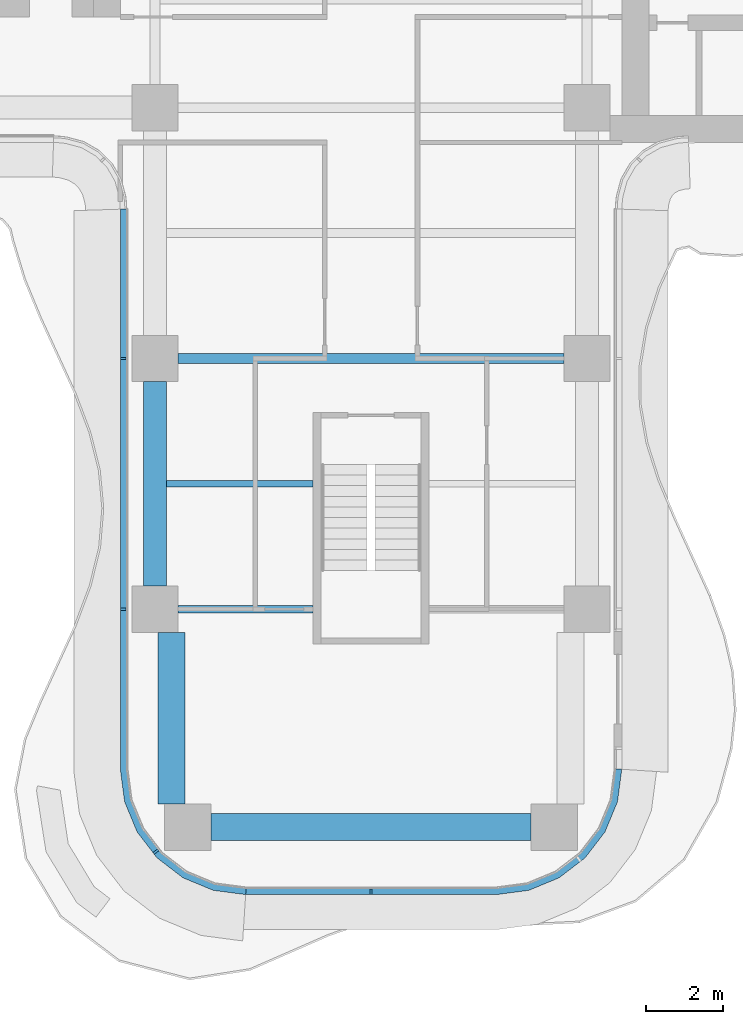
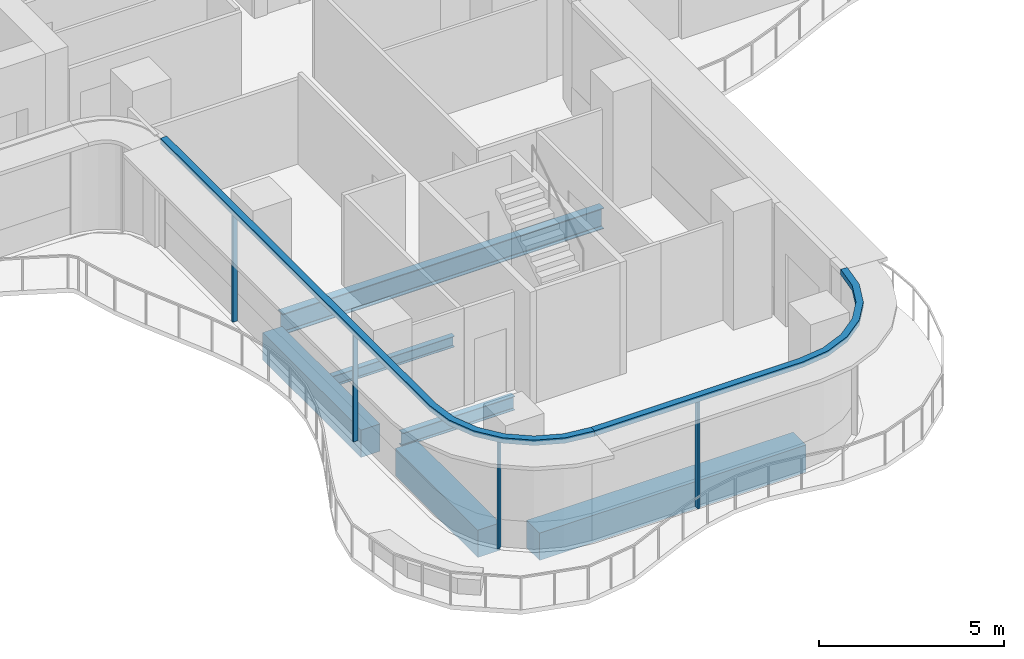
# One storey, part 2 of 18: 6 beams, 6 members, 2 elements without a shape of their own.
"""IFC4 building model written with IfcOpenShell, lengths in metres."""

from ifc_helpers import new_model, si_unit, direction, frame, origin, origin_2d, place, context, subcontext, project, spatial, polyline, rectangle, i_section, outline, extrude, source, transform, mapped, material, layer, layer_set, material_profile, profile_set, type_object, element, aggregate, save


model = new_model("IFC4")

# Units and contexts
model_context = context("Model", 3, precision=1e-05, world=origin(), true_north=direction((0.0, 1.0)))
body_context = subcontext(model_context, "Body", "Model", "MODEL_VIEW")
ifc_project = project(units=[si_unit("LENGTHUNIT", "METRE"), si_unit("AREAUNIT", "SQUARE_METRE"), si_unit("VOLUMEUNIT", "CUBIC_METRE"), si_unit("PLANEANGLEUNIT", "RADIAN"), si_unit("MASSUNIT", "GRAM", prefix="KILO")], contexts=[model_context])

# Site, building, storey
site_placement = place(None, origin())
site = spatial("IfcSite", under=ifc_project, at=site_placement, CompositionType="ELEMENT")
building_placement = place(site_placement, origin())
building = spatial("IfcBuilding", under=site, at=building_placement, Name="Trellis Farm Tower", CompositionType="ELEMENT")
storey_placement = place(building_placement, frame((0.0, 0.0, 201.0)))
storey = spatial("IfcBuildingStorey", under=building, at=storey_placement, Name="L44", CompositionType="ELEMENT", Elevation=201.0)

# Beams
ifc_material_1 = material(Name="Steel S355", Category="steel")
ifc_material_profile_1 = material_profile(ifc_material_1, i_section(OverallWidth=0.1904296875, OverallDepth=0.45703125, WebThickness=0.009033203125, FlangeThickness=0.014404296875, FilletRadius=0.01025390625, at=origin_2d()), Name="UB 457x191x74")
ifc_profile_set_1 = profile_set([ifc_material_profile_1], Name="Steel S355")
beam_type_1 = type_object("IfcBeamType", Name="UB 457x191x74", PredefinedType="BEAM", material=ifc_profile_set_1)
shared_shape_1 = source(origin(), body_context, "Body", "SweptSolid", [
    extrude(i_section(OverallWidth=0.1904296875, OverallDepth=0.45703125, WebThickness=0.009033203125, FlangeThickness=0.014404296875, FilletRadius=0.01025390625, at=origin_2d()), origin(), (0.0, 0.0, 1.0), 3.5),
])
beam_1_placement = place(storey_placement, frame((-5.0, -18.60009765625, -0.428466796875), z_axis=(1.0, 0.0, 0.0), x_axis=(0.0, 1.0, 0.0)))
element("IfcBeam", 1, at=beam_1_placement, inside=storey, type_object=beam_type_1, Name="Girder", PredefinedType="BEAM", context=body_context, shape_type="MappedRepresentation", body=[
    mapped(shared_shape_1, transform((0.0, 0.0, 0.0))),
])
ifc_material_2 = material(Name="Concrete C60/75", Category="concrete")
ifc_material_profile_2 = material_profile(ifc_material_2, rectangle(XDim=0.60009765625, YDim=0.89990234375, at=origin_2d()), Name="RC spandrel beam 600x900 C60/75")
ifc_profile_set_2 = profile_set([ifc_material_profile_2], Name="Concrete C60/75")
beam_type_2 = type_object("IfcBeamType", Name="RC spandrel beam 600x900 C60/75", PredefinedType="SPANDREL", material=ifc_profile_set_2)
shared_shape_2 = source(origin(), body_context, "Body", "SweptSolid", [
    extrude(rectangle(XDim=0.60009765625, YDim=0.89990234375, at=origin_2d()), origin(), (0.0, 0.0, 1.0), 5.300048828125),
])
beam_2_placement = place(storey_placement, frame((-5.60009765625, -18.0, -0.64990234375), z_axis=(0.0, 1.0, 0.0), x_axis=(-1.0, 0.0, 0.0)))
element("IfcBeam", 2, at=beam_2_placement, inside=storey, type_object=beam_type_2, Name="Girder", PredefinedType="SPANDREL", context=body_context, shape_type="MappedRepresentation", body=[
    mapped(shared_shape_2, transform((0.0, 0.0, 0.0))),
])
ifc_material_profile_3 = material_profile(ifc_material_1, i_section(OverallWidth=0.253662109375, OverallDepth=0.68359375, WebThickness=0.012451171875, FlangeThickness=0.021728515625, FilletRadius=0.01513671875, at=origin_2d()), Name="UB 686x254x140")
ifc_profile_set_3 = profile_set([ifc_material_profile_3], Name="Steel S355")
beam_type_3 = type_object("IfcBeamType", Name="UB 686x254x140", PredefinedType="BEAM", material=ifc_profile_set_3)
shared_shape_3 = source(origin(), body_context, "Body", "SweptSolid", [
    extrude(i_section(OverallWidth=0.253662109375, OverallDepth=0.68359375, WebThickness=0.012451171875, FlangeThickness=0.021728515625, FilletRadius=0.01513671875, at=origin_2d()), origin(), (0.0, 0.0, 1.0), 10.0),
])
beam_3_placement = place(storey_placement, frame((-5.0, -12.10009765625, -0.541748046875), z_axis=(1.0, 0.0, 0.0), x_axis=(0.0, 1.0, 0.0)))
element("IfcBeam", 3, at=beam_3_placement, inside=storey, type_object=beam_type_3, Name="Girder", PredefinedType="BEAM", context=body_context, shape_type="MappedRepresentation", body=[
    mapped(shared_shape_3, transform((0.0, 0.0, 0.0))),
])
ifc_material_profile_4 = material_profile(ifc_material_2, rectangle(XDim=0.699951171875, YDim=0.89990234375, at=origin_2d()), Name="RC spandrel beam 700x900 C60/75")
ifc_profile_set_4 = profile_set([ifc_material_profile_4], Name="Concrete C60/75")
beam_type_4 = type_object("IfcBeamType", Name="RC spandrel beam 700x900 C60/75", PredefinedType="SPANDREL", material=ifc_profile_set_4)
shared_shape_4 = source(origin(), body_context, "Body", "SweptSolid", [
    extrude(rectangle(XDim=0.699951171875, YDim=0.89990234375, at=origin_2d()), origin(), (0.0, 0.0, 1.0), 8.2998046875),
])
beam_4_placement = place(storey_placement, frame((-4.14990234375, -24.25, -0.64990234375), z_axis=(1.0, 0.0, 0.0), x_axis=(0.0, 1.0, 0.0)))
element("IfcBeam", 4, at=beam_4_placement, inside=storey, type_object=beam_type_4, Name="Girder", PredefinedType="SPANDREL", context=body_context, shape_type="MappedRepresentation", body=[
    mapped(shared_shape_4, transform((0.0, 0.0, 0.0))),
])
shared_shape_5 = source(origin(), body_context, "Body", "SweptSolid", [
    extrude(rectangle(XDim=0.699951171875, YDim=0.89990234375, at=origin_2d()), origin(), (0.0, 0.0, 1.0), 4.449951171875),
])
beam_5_placement = place(storey_placement, frame((-5.175048828125, -23.64990234375, -0.64990234375), z_axis=(0.0, 1.0, 0.0), x_axis=(-1.0, 0.0, 0.0)))
element("IfcBeam", 5, at=beam_5_placement, inside=storey, type_object=beam_type_4, Name="Girder", PredefinedType="SPANDREL", context=body_context, shape_type="MappedRepresentation", body=[
    mapped(shared_shape_5, transform((0.0, 0.0, 0.0))),
])
ifc_material_profile_5 = material_profile(ifc_material_1, i_section(OverallWidth=0.17138671875, OverallDepth=0.35498046875, WebThickness=0.00732421875, FlangeThickness=0.011474609375, FilletRadius=0.01025390625, at=origin_2d()), Name="UB 356x171x51")
ifc_profile_set_5 = profile_set([ifc_material_profile_5], Name="Steel S355")
beam_type_5 = type_object("IfcBeamType", Name="UB 356x171x51 joist", PredefinedType="JOIST", material=ifc_profile_set_5)
shared_shape_6 = source(origin(), body_context, "Body", "SweptSolid", [
    extrude(i_section(OverallWidth=0.17138671875, OverallDepth=0.35498046875, WebThickness=0.00732421875, FlangeThickness=0.011474609375, FilletRadius=0.01025390625, at=origin_2d()), origin(), (0.0, 0.0, 1.0), 3.800048828125),
])
beam_6_placement = place(storey_placement, frame((-5.300048828125, -15.35009765625, -0.37744140625), z_axis=(1.0, 0.0, 0.0), x_axis=(0.0, 1.0, 0.0)))
element("IfcBeam", 6, at=beam_6_placement, inside=storey, type_object=beam_type_5, Name="Floor beam", PredefinedType="JOIST", context=body_context, shape_type="MappedRepresentation", body=[
    mapped(shared_shape_6, transform((0.0, 0.0, 0.0))),
])

# Curtain wall, member
ifc_material_3 = material(Name="Aluminium and glass curtain wall", Category="aluminium")
ifc_layer_1 = layer(ifc_material_3, 0.18994140625)
ifc_layer_set_1 = layer_set([ifc_layer_1], Name="RIBBON CURTAIN WALL CW1")
curtain_wall_type = type_object("IfcCurtainWallType", Name="RIBBON CURTAIN WALL CW1", PredefinedType="NOTDEFINED", material=ifc_layer_set_1)
placement_1 = place(storey_placement, origin())
curtain_wall_1 = element("IfcCurtainWall", 7, at=placement_1, inside=storey, type_object=curtain_wall_type, Name="CW1 002", PredefinedType="NOTDEFINED")
ifc_material_4 = material(Name="Aluminium extrusion 6063-T6", Category="aluminium")
ifc_layer_2 = layer(ifc_material_4, 0.199951171875)
ifc_layer_set_2 = layer_set([ifc_layer_2], Name="Aluminium extrusion 6063-T6")
member_type_1 = type_object("IfcMemberType", Name="CW1 TRANSOM 200x180", PredefinedType="USERDEFINED", material=ifc_layer_set_2)
shared_shape_7 = source(origin(), body_context, "Body", "SweptSolid", [
    extrude(outline(polyline([(-6.5, -8.2314453125), (-6.5, -22.75), (-6.38916015625, -23.591064453125), (-6.064697265625, -24.375), (-5.548095703125, -25.048095703125), (-4.875, -25.564697265625), (-4.091064453125, -25.88916015625), (-3.25, -26.0), (-3.23681640625, -25.800048828125), (-4.0390625, -25.6943359375), (-4.774169921875, -25.389892578125), (-5.405517578125, -24.905517578125), (-5.889892578125, -24.274169921875), (-6.1943359375, -23.5390625), (-6.300048828125, -22.73681640625), (-6.300048828125, -8.224853515625), (-6.5, -8.2314453125)])), origin(), (0.0, 0.0, 1.0), 0.179931640625),
])
placement_2 = place(storey_placement, frame((0.0, 0.0, 3.52001953125)))
member_1 = element("IfcMember", 8, at=placement_2, type_object=member_type_1, Name="TR1 002", ObjectType="TRANSOM", PredefinedType="USERDEFINED", context=body_context, shape_type="MappedRepresentation", body=[
    mapped(shared_shape_7, transform((0.0, 0.0, 0.0))),
])

curtain_wall_2 = element("IfcCurtainWall", 9, at=placement_1, inside=storey, type_object=curtain_wall_type, Name="CW1 003", PredefinedType="NOTDEFINED")
shared_shape_8 = source(origin(), body_context, "Body", "SweptSolid", [
    extrude(outline(polyline([(-3.25, -26.0), (3.25, -26.0), (4.091064453125, -25.88916015625), (4.875, -25.564697265625), (5.548095703125, -25.048095703125), (6.064697265625, -24.375), (6.38916015625, -23.591064453125), (6.5, -22.75), (6.300048828125, -22.73681640625), (6.1943359375, -23.5390625), (5.889892578125, -24.274169921875), (5.405517578125, -24.905517578125), (4.774169921875, -25.389892578125), (4.0390625, -25.6943359375), (3.23681640625, -25.800048828125), (-3.23681640625, -25.800048828125), (-3.25, -26.0)])), origin(), (0.0, 0.0, 1.0), 0.179931640625),
])
member_2 = element("IfcMember", 10, at=placement_2, type_object=member_type_1, Name="TR1 003", ObjectType="TRANSOM", PredefinedType="USERDEFINED", context=body_context, shape_type="MappedRepresentation", body=[
    mapped(shared_shape_8, transform((0.0, 0.0, 0.0))),
])

# Member
ifc_material_profile_6 = material_profile(ifc_material_4, rectangle(XDim=0.06005859375, YDim=0.14990234375, at=origin_2d()), Name="MULLION 60x150")
ifc_profile_set_6 = profile_set([ifc_material_profile_6], Name="Aluminium extrusion 6063-T6")
member_type_2 = type_object("IfcMemberType", Name="CW1 MULLION 60x150", PredefinedType="MULLION", material=ifc_profile_set_6)
shared_shape_9 = source(origin(), body_context, "Body", "SweptSolid", [
    extrude(rectangle(XDim=0.06005859375, YDim=0.14990234375, at=origin_2d()), origin(), (0.0, 0.0, 1.0), 3.52001953125),
])
member_3_placement = place(storey_placement, frame((-6.425048828125, -12.10009765625, 0.0), z_axis=(0.0, 0.0, 1.0), x_axis=(0.0, -1.0, 0.0)))
member_3 = element("IfcMember", 11, at=member_3_placement, type_object=member_type_2, Name="MU1 002-01", PredefinedType="MULLION", context=body_context, shape_type="MappedRepresentation", body=[
    mapped(shared_shape_9, transform((0.0, 0.0, 0.0))),
])

member_4_placement = place(storey_placement, frame((-6.425048828125, -18.60009765625, 0.0), z_axis=(0.0, 0.0, 1.0), x_axis=(0.0, -1.0, 0.0)))
member_4 = element("IfcMember", 12, at=member_4_placement, type_object=member_type_2, Name="MU1 002-02", PredefinedType="MULLION", context=body_context, shape_type="MappedRepresentation", body=[
    mapped(shared_shape_9, transform((0.0, 0.0, 0.0))),
])

member_5_placement = place(storey_placement, frame((-5.578369140625, -24.885498046875, 0.0), z_axis=(0.0, 0.0, 1.0), x_axis=(0.608761429009, -0.793353340291, 0.0)))
member_5 = element("IfcMember", 13, at=member_5_placement, type_object=member_type_2, Name="MU1 002-03", PredefinedType="MULLION", context=body_context, shape_type="MappedRepresentation", body=[
    mapped(shared_shape_9, transform((0.0, 0.0, 0.0))),
])

aggregate(curtain_wall_1, [member_3, member_4, member_5, member_1])

member_6_placement = place(storey_placement, frame((0.0, -25.925048828125, 0.0), z_axis=(0.0, 0.0, 1.0), x_axis=(1.0, 0.0, 0.0)))
member_6 = element("IfcMember", 14, at=member_6_placement, type_object=member_type_2, Name="MU1 003-01", PredefinedType="MULLION", context=body_context, shape_type="MappedRepresentation", body=[
    mapped(shared_shape_9, transform((0.0, 0.0, 0.0))),
])

aggregate(curtain_wall_2, [member_6, member_2])

save(model, "model.ifc")
